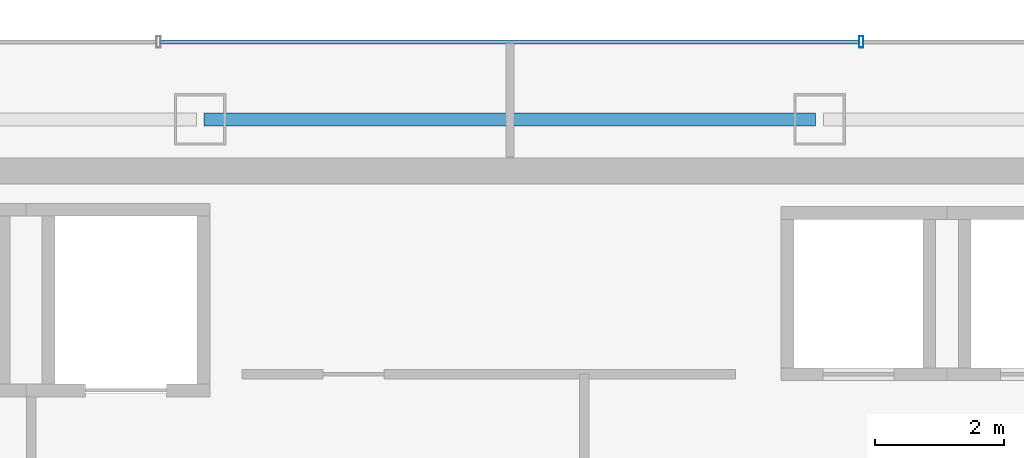
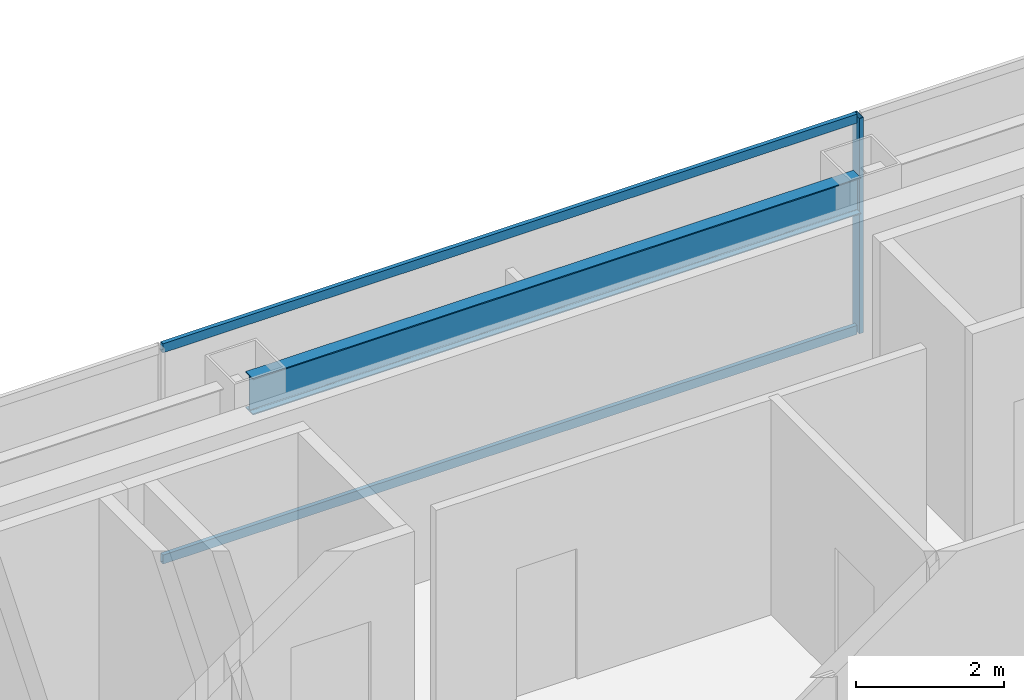
# One storey, part 21 of 33: 3 members, 1 beam, 1 element without a shape of its own.
"""IFC4 building model written with IfcOpenShell, lengths in metres."""

from ifc_helpers import new_model, si_unit, direction, frame, origin, origin_2d, place, context, subcontext, project, spatial, hollow_rectangle, i_section, extrude, material, material_profile, profile_set, type_object, element, aggregate, save


model = new_model("IFC4")

# Units and contexts
model_context = context("Model", 3, precision=1e-05, world=origin(), true_north=direction((0.0, 1.0)))
body_context = subcontext(model_context, "Body", "Model", "MODEL_VIEW")
ifc_project = project(units=[si_unit("LENGTHUNIT", "METRE"), si_unit("AREAUNIT", "SQUARE_METRE"), si_unit("VOLUMEUNIT", "CUBIC_METRE"), si_unit("PLANEANGLEUNIT", "RADIAN"), si_unit("MASSUNIT", "GRAM", prefix="KILO")], contexts=[model_context])

# Site, building, storey
site_placement = place(None, origin())
site = spatial("IfcSite", under=ifc_project, at=site_placement, CompositionType="ELEMENT")
building_placement = place(site_placement, origin())
building = spatial("IfcBuilding", under=site, at=building_placement, Name="Saevonmaru Cultural Tower", CompositionType="ELEMENT")
storey_placement = place(building_placement, frame((0.0, 0.0, 234.39990234375)))
storey = spatial("IfcBuildingStorey", under=building, at=storey_placement, Name="L54", CompositionType="ELEMENT", Elevation=234.39990234375)

# Beam
ifc_material_1 = material(Name="Steel SM355", Category="steel")
ifc_material_profile_1 = material_profile(ifc_material_1, i_section(OverallWidth=0.199951171875, OverallDepth=0.60009765625, WebThickness=0.010986328125, FlangeThickness=0.01708984375, FilletRadius=0.02197265625, at=origin_2d()), Name="H-600x200x11x17")
ifc_profile_set_1 = profile_set([ifc_material_profile_1], Name="Steel SM355")
beam_type = type_object("IfcBeamType", Name="BM-SP-H600", PredefinedType="SPANDREL", material=ifc_profile_set_1)
beam_placement = place(storey_placement, frame((25.260009765625, 54.800048828125, 3.25), z_axis=(1.0, 0.0, 0.0), x_axis=(0.0, 1.0, 0.0)))
element("IfcBeam", 1, at=beam_placement, inside=storey, type_object=beam_type, Name="L54 North Spine Girder 3", PredefinedType="SPANDREL", context=body_context, shape_type="SweptSolid", body=[
    extrude(i_section(OverallWidth=0.199951171875, OverallDepth=0.60009765625, WebThickness=0.010986328125, FlangeThickness=0.01708984375, FilletRadius=0.02197265625, at=origin_2d()), origin(), (0.0, 0.0, 1.0), 9.47998046875),
])

# Curtain wall, members
ifc_material_2 = material(Name="Satin Bronze Anodised Aluminium", Category="aluminium")
curtain_wall_type = type_object("IfcCurtainWallType", Name="CW-TYP-B", PredefinedType="NOTDEFINED", material=ifc_material_2)
curtain_wall_placement = place(storey_placement, origin())
curtain_wall = element("IfcCurtainWall", 2, at=curtain_wall_placement, inside=storey, type_object=curtain_wall_type, Name="L54 North Spine Unitised Curtain Wall E10B", PredefinedType="NOTDEFINED")
ifc_material_profile_2 = material_profile(ifc_material_2, hollow_rectangle(XDim=0.06494140625, YDim=0.179931640625, WallThickness=0.00390625, at=origin_2d()), Name="ALU-MULL-180x65x4")
ifc_profile_set_2 = profile_set([ifc_material_profile_2], Name="Satin Bronze Anodised Aluminium")
member_type_1 = type_object("IfcMemberType", Name="ML-CW-180x65", PredefinedType="MULLION", material=ifc_profile_set_2)
member_1_placement = place(storey_placement, frame((35.44677734375, 56.0, 0.0), z_axis=(0.0, 0.0, 1.0), x_axis=(-1.0, 0.0, 0.0)))
member_1 = element("IfcMember", 3, at=member_1_placement, type_object=member_type_1, Name="CW-TW-L54-E10B mullion 2", PredefinedType="MULLION", context=body_context, shape_type="SweptSolid", body=[
    extrude(hollow_rectangle(XDim=0.06494140625, YDim=0.179931640625, WallThickness=0.00390625, at=origin_2d()), origin(), (0.0, 0.0, 1.0), 3.550048828125),
])
ifc_material_profile_3 = material_profile(ifc_material_2, hollow_rectangle(XDim=0.06494140625, YDim=0.14990234375, WallThickness=0.00390625, at=origin_2d()), Name="ALU-TRAN-150x65x4")
ifc_profile_set_3 = profile_set([ifc_material_profile_3], Name="Satin Bronze Anodised Aluminium")
member_type_2 = type_object("IfcMemberType", Name="TR-CW-150x65", PredefinedType="USERDEFINED", material=ifc_profile_set_3)
member_2_placement = place(storey_placement, frame((35.4140625, 56.0, 0.03271484375), z_axis=(-1.0, 0.0, 0.0), x_axis=(0.0, -1.0, 0.0)))
member_2 = element("IfcMember", 4, at=member_2_placement, type_object=member_type_2, Name="CW-TW-L54-E10B transom 2.1", ObjectType="TRANSOM", PredefinedType="USERDEFINED", context=body_context, shape_type="SweptSolid", body=[
    extrude(hollow_rectangle(XDim=0.06494140625, YDim=0.14990234375, WallThickness=0.00390625, at=origin_2d()), origin(), (0.0, 0.0, 1.0), 10.828125),
])
member_3_placement = place(storey_placement, frame((35.4140625, 56.0, 3.517578125), z_axis=(-1.0, 0.0, 0.0), x_axis=(0.0, -1.0, 0.0)))
member_3 = element("IfcMember", 5, at=member_3_placement, type_object=member_type_2, Name="CW-TW-L54-E10B transom 2.2", ObjectType="TRANSOM", PredefinedType="USERDEFINED", context=body_context, shape_type="SweptSolid", body=[
    extrude(hollow_rectangle(XDim=0.06494140625, YDim=0.14990234375, WallThickness=0.00390625, at=origin_2d()), origin(), (0.0, 0.0, 1.0), 10.828125),
])
aggregate(curtain_wall, [member_1, member_2, member_3])

save(model, "model.ifc")
